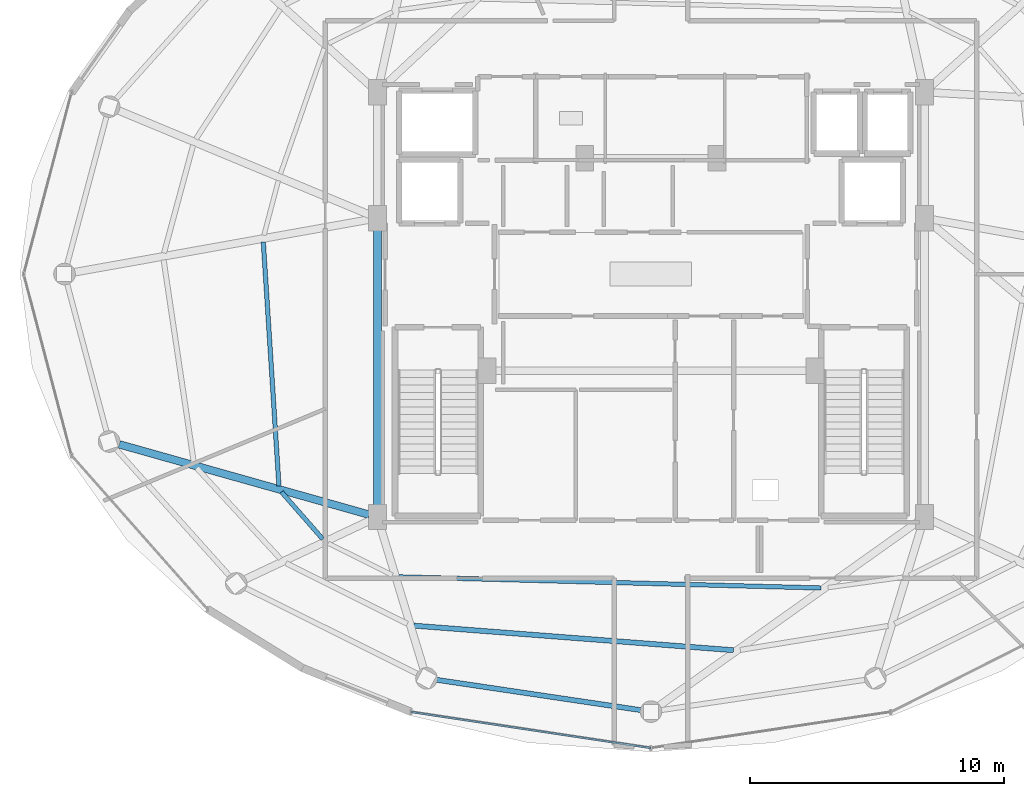
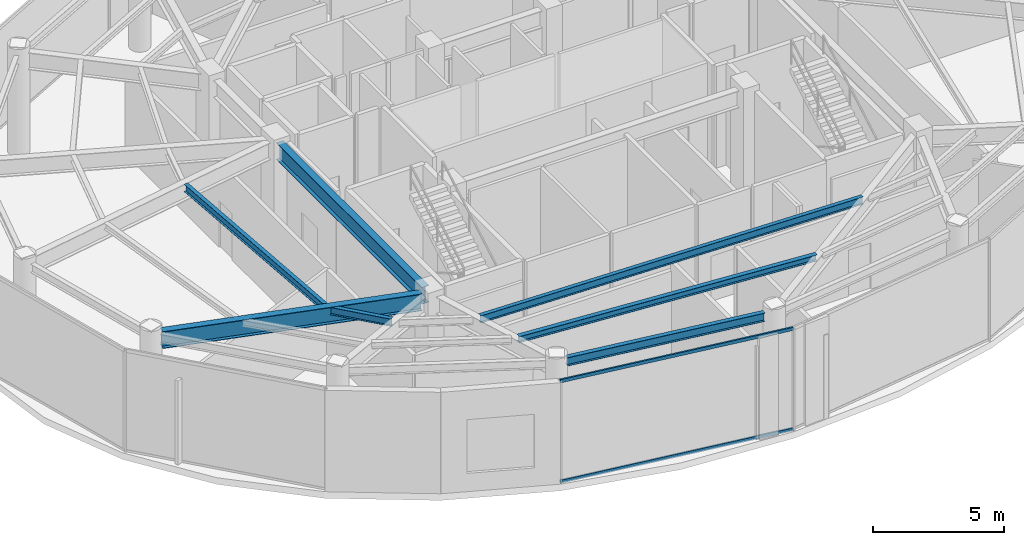
# One storey, part 4 of 24: 7 beams, 2 members, 1 element without a shape of its own.
"""IFC4 building model written with IfcOpenShell, lengths in metres."""

from ifc_helpers import new_model, si_unit, direction, frame, origin, origin_2d, place, context, subcontext, project, spatial, hollow_rectangle, i_section, extrude, material, material_profile, profile_set, type_object, element, aggregate, save


model = new_model("IFC4")

# Units and contexts
model_context = context("Model", 3, precision=1e-05, world=origin(), true_north=direction((0.0, 1.0)))
body_context = subcontext(model_context, "Body", "Model", "MODEL_VIEW")
ifc_project = project(units=[si_unit("LENGTHUNIT", "METRE"), si_unit("AREAUNIT", "SQUARE_METRE"), si_unit("VOLUMEUNIT", "CUBIC_METRE"), si_unit("PLANEANGLEUNIT", "RADIAN"), si_unit("MASSUNIT", "GRAM", prefix="KILO")], contexts=[model_context])

# Site, building, storey
site_placement = place(None, origin())
site = spatial("IfcSite", under=ifc_project, at=site_placement, CompositionType="ELEMENT")
building_placement = place(site_placement, origin())
building = spatial("IfcBuilding", under=site, at=building_placement, Name="Vorneva Point Tower", CompositionType="ELEMENT")
storey_placement = place(building_placement, frame((0.0, 0.0, 290.39990234375)))
storey = spatial("IfcBuildingStorey", under=building, at=storey_placement, Name="L78", CompositionType="ELEMENT", Elevation=290.39990234375)

# Beams
ifc_material_1 = material(Name="Steel S355", Category="steel")
ifc_material_profile_1 = material_profile(ifc_material_1, i_section(OverallWidth=0.300048828125, OverallDepth=0.7880859375, WebThickness=0.014404296875, FlangeThickness=0.02197265625, at=origin_2d()), Name="80Sh1")
ifc_profile_set_1 = profile_set([ifc_material_profile_1], Name="Steel S355")
beam_type_1 = type_object("IfcBeamType", Name="BM-GRD-80Sh1", PredefinedType="USERDEFINED", material=ifc_profile_set_1)
beam_1_placement = place(storey_placement, frame((17.102294921875, 19.305908203125, 4.326171875), z_axis=(0.962601026021, -0.270922986664, 0.0), x_axis=(0.270922986664, 0.962601026021, 0.0)))
element("IfcBeam", 1, at=beam_1_placement, inside=storey, type_object=beam_type_1, Name="L78 Radial Primary Girder 10", ObjectType="GIRDER", PredefinedType="USERDEFINED", context=body_context, shape_type="SweptSolid", body=[
    extrude(i_section(OverallWidth=0.300048828125, OverallDepth=0.7880859375, WebThickness=0.014404296875, FlangeThickness=0.02197265625, at=origin_2d()), origin(), (0.0, 0.0, 1.0), 10.201904296875),
])
beam_2_placement = place(storey_placement, frame((27.25, 16.77001953125, 4.326171875), z_axis=(0.0, 1.0, 0.0), x_axis=(-1.0, 0.0, 0.0)))
element("IfcBeam", 2, at=beam_2_placement, inside=storey, type_object=beam_type_1, Name="L78 Core Tie Girder CT1", ObjectType="GIRDER", PredefinedType="USERDEFINED", context=body_context, shape_type="SweptSolid", body=[
    extrude(i_section(OverallWidth=0.300048828125, OverallDepth=0.7880859375, WebThickness=0.014404296875, FlangeThickness=0.02197265625, at=origin_2d()), origin(), (0.0, 0.0, 1.0), 11.10986328125),
])
ifc_material_profile_2 = material_profile(ifc_material_1, i_section(OverallWidth=0.199951171875, OverallDepth=0.291015625, WebThickness=0.008056640625, FlangeThickness=0.010986328125, at=origin_2d()), Name="30Sh1")
ifc_profile_set_2 = profile_set([ifc_material_profile_2], Name="Steel S355")
beam_type_2 = type_object("IfcBeamType", Name="BM-SEC-30Sh1", PredefinedType="BEAM", material=ifc_profile_set_2)
beam_3_placement = place(storey_placement, frame((28.68359375, 12.179931640625, 4.57470703125), z_axis=(0.997054827602, -0.076692051447, 0.0), x_axis=(0.076692051447, 0.997054827602, 0.0)))
element("IfcBeam", 3, at=beam_3_placement, inside=storey, type_object=beam_type_2, Name="L78 Secondary Floor Beam 1.12", PredefinedType="BEAM", context=body_context, shape_type="SweptSolid", body=[
    extrude(i_section(OverallWidth=0.199951171875, OverallDepth=0.291015625, WebThickness=0.008056640625, FlangeThickness=0.010986328125, at=origin_2d()), origin(), (0.0, 0.0, 1.0), 12.593505859375),
])
ifc_material_profile_3 = material_profile(ifc_material_1, i_section(OverallWidth=0.174072265625, OverallDepth=0.345947265625, WebThickness=0.006103515625, FlangeThickness=0.009033203125, at=origin_2d()), Name="35B1")
ifc_profile_set_3 = profile_set([ifc_material_profile_3], Name="Steel S355")
beam_type_3 = type_object("IfcBeamType", Name="BM-SEC-35B1", PredefinedType="BEAM", material=ifc_profile_set_3)
beam_4_placement = place(storey_placement, frame((22.762939453125, 27.258056640625, 4.547119140625), z_axis=(0.064092343356, -0.997943972136, 0.0), x_axis=(0.997943972136, 0.064092343356, 0.0)))
element("IfcBeam", 4, at=beam_4_placement, inside=storey, type_object=beam_type_3, Name="L78 Secondary Floor Beam 2.09", PredefinedType="BEAM", context=body_context, shape_type="SweptSolid", body=[
    extrude(i_section(OverallWidth=0.174072265625, OverallDepth=0.345947265625, WebThickness=0.006103515625, FlangeThickness=0.009033203125, at=origin_2d()), origin(), (0.0, 0.0, 1.0), 9.60302734375),
])
beam_5_placement = place(storey_placement, frame((23.478271484375, 17.433349609375, 4.547119140625), z_axis=(0.659115881261, -0.752041391859, 0.0), x_axis=(0.752041391859, 0.659115881261, 0.0)))
element("IfcBeam", 5, at=beam_5_placement, inside=storey, type_object=beam_type_3, Name="L78 Secondary Floor Beam 2.10", PredefinedType="BEAM", context=body_context, shape_type="SweptSolid", body=[
    extrude(i_section(OverallWidth=0.174072265625, OverallDepth=0.345947265625, WebThickness=0.006103515625, FlangeThickness=0.009033203125, at=origin_2d()), origin(), (0.0, 0.0, 1.0), 2.459228515625),
])
beam_6_placement = place(storey_placement, frame((28.1025390625, 14.09765625, 4.547119140625), z_axis=(0.999651399145, -0.026402276188, 0.0), x_axis=(0.026402276188, 0.999651399145, 0.0)))
element("IfcBeam", 6, at=beam_6_placement, inside=storey, type_object=beam_type_3, Name="L78 Secondary Floor Beam 2.12", PredefinedType="BEAM", context=body_context, shape_type="SweptSolid", body=[
    extrude(i_section(OverallWidth=0.174072265625, OverallDepth=0.345947265625, WebThickness=0.006103515625, FlangeThickness=0.009033203125, at=origin_2d()), origin(), (0.0, 0.0, 1.0), 16.589111328125),
])
ifc_material_profile_4 = material_profile(ifc_material_1, i_section(OverallWidth=0.198974609375, OverallDepth=0.39599609375, WebThickness=0.007080078125, FlangeThickness=0.010986328125, at=origin_2d()), Name="40B1")
ifc_profile_set_4 = profile_set([ifc_material_profile_4], Name="Steel S355")
beam_type_4 = type_object("IfcBeamType", Name="BM-SPN-40B1", PredefinedType="SPANDREL", material=ifc_profile_set_4)
beam_7_placement = place(storey_placement, frame((29.584716796875, 10.049072265625, 4.522216796875), z_axis=(0.989161657331, -0.146830567886, 0.0), x_axis=(0.146830567886, 0.989161657331, 0.0)))
element("IfcBeam", 7, at=beam_7_placement, inside=storey, type_object=beam_type_4, Name="L78 Perimeter Spandrel Ring Beam 12", PredefinedType="SPANDREL", context=body_context, shape_type="SweptSolid", body=[
    extrude(i_section(OverallWidth=0.198974609375, OverallDepth=0.39599609375, WebThickness=0.007080078125, FlangeThickness=0.010986328125, at=origin_2d()), origin(), (0.0, 0.0, 1.0), 8.097412109375),
])

# Curtain wall, members
ifc_material_2 = material(Name="Pale anodised aluminium", Category="aluminium")
curtain_wall_type = type_object("IfcCurtainWallType", Name="CW-OBS-SYS", PredefinedType="NOTDEFINED", material=ifc_material_2)
curtain_wall_placement = place(storey_placement, origin())
curtain_wall = element("IfcCurtainWall", 8, at=curtain_wall_placement, inside=storey, type_object=curtain_wall_type, Name="L78 Unitised Curtain Wall CW-L78-R04", PredefinedType="NOTDEFINED")
ifc_material_profile_5 = material_profile(ifc_material_2, hollow_rectangle(XDim=0.074951171875, YDim=0.14990234375, WallThickness=0.00390625, at=origin_2d()), Name="AL-TRN 150x75x4")
ifc_profile_set_5 = profile_set([ifc_material_profile_5], Name="Pale anodised aluminium")
member_type = type_object("IfcMemberType", Name="CW-TRN-150", PredefinedType="USERDEFINED", material=ifc_profile_set_5)
member_1_placement = place(storey_placement, frame((28.56689453125, 8.7880859375, 0.02001953125), z_axis=(0.988890123612, -0.148648321288, 0.0), x_axis=(0.148648321288, 0.988890123612, 0.0)))
member_1 = element("IfcMember", 9, at=member_1_placement, type_object=member_type, Name="CW-L78-R04 Transom 01.1", ObjectType="TRANSOM", PredefinedType="USERDEFINED", context=body_context, shape_type="SweptSolid", body=[
    extrude(hollow_rectangle(XDim=0.074951171875, YDim=0.14990234375, WallThickness=0.00390625, at=origin_2d()), origin(), (0.0, 0.0, 1.0), 9.5390625),
])
member_2_placement = place(storey_placement, frame((28.56689453125, 8.7880859375, 4.7001953125), z_axis=(0.988890123612, -0.148648321288, 0.0), x_axis=(0.148648321288, 0.988890123612, 0.0)))
member_2 = element("IfcMember", 10, at=member_2_placement, type_object=member_type, Name="CW-L78-R04 Transom 01.2", ObjectType="TRANSOM", PredefinedType="USERDEFINED", context=body_context, shape_type="SweptSolid", body=[
    extrude(hollow_rectangle(XDim=0.074951171875, YDim=0.14990234375, WallThickness=0.00390625, at=origin_2d()), origin(), (0.0, 0.0, 1.0), 9.5390625),
])
aggregate(curtain_wall, [member_1, member_2])

save(model, "model.ifc")
